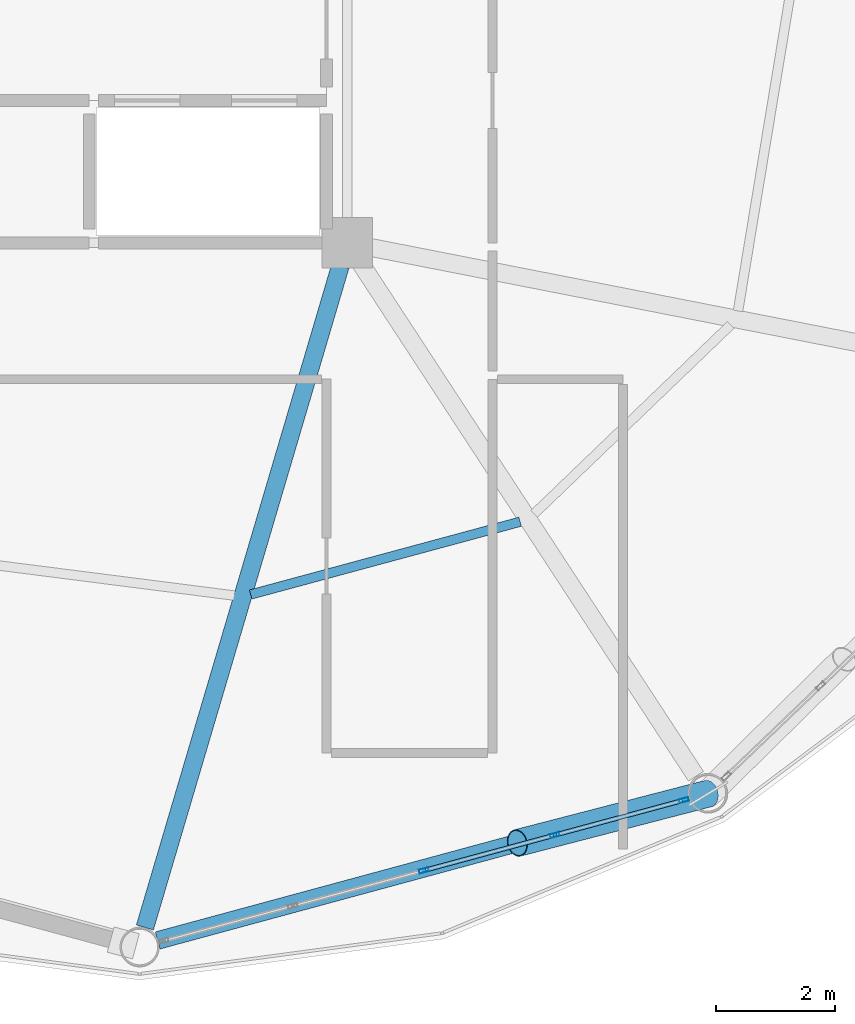
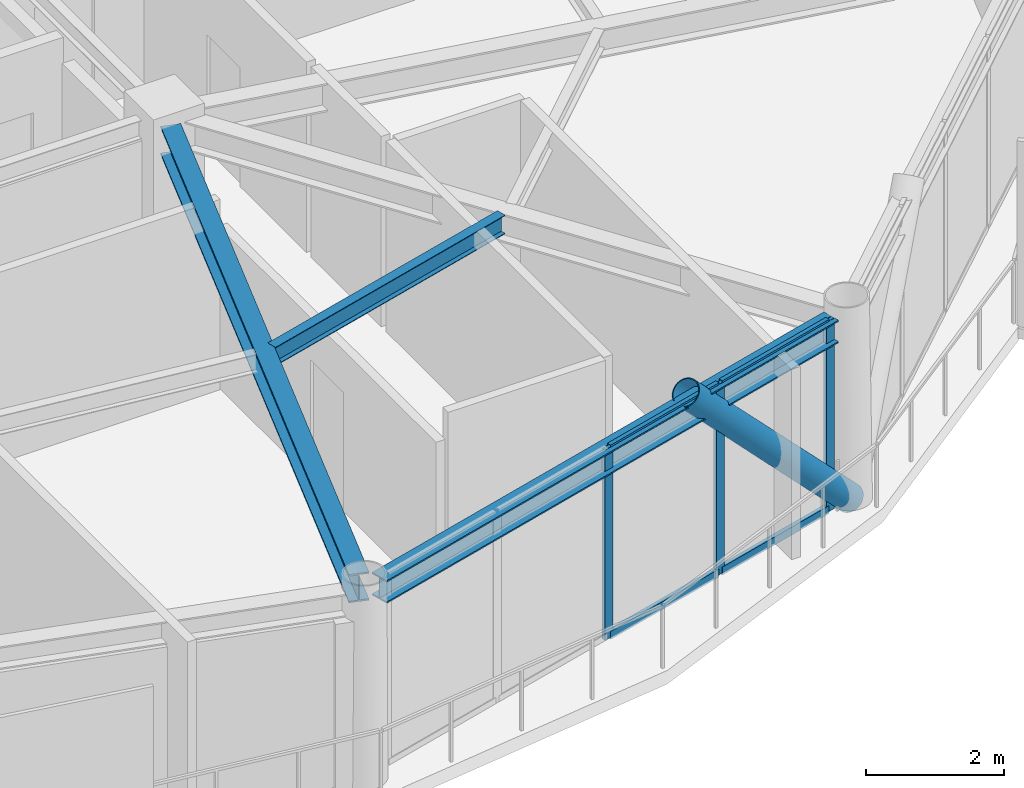
# One storey, part 8 of 28: 8 members, 3 beams, 1 element without a shape of its own.
"""IFC4 building model written with IfcOpenShell, lengths in metres."""

from ifc_helpers import new_model, si_unit, direction, frame, origin, origin_2d, place, context, subcontext, project, spatial, hollow_rectangle, hollow_circle, i_section, extrude, material, layer, layer_set, material_profile, profile_set, type_object, element, aggregate, save


model = new_model("IFC4")

# Units and contexts
model_context = context("Model", 3, precision=1e-05, world=origin(), true_north=direction((0.0, 1.0)))
body_context = subcontext(model_context, "Body", "Model", "MODEL_VIEW")
ifc_project = project(units=[si_unit("LENGTHUNIT", "METRE"), si_unit("AREAUNIT", "SQUARE_METRE"), si_unit("VOLUMEUNIT", "CUBIC_METRE"), si_unit("PLANEANGLEUNIT", "RADIAN"), si_unit("MASSUNIT", "GRAM", prefix="KILO")], contexts=[model_context])

# Site, building, storey
site_placement = place(None, origin())
site = spatial("IfcSite", under=ifc_project, at=site_placement, CompositionType="ELEMENT")
building_placement = place(site_placement, origin())
building = spatial("IfcBuilding", under=site, at=building_placement, Name="Varnakorn Sky Granary", CompositionType="ELEMENT")
storey_placement = place(building_placement, frame((0.0, 0.0, 204.0)))
storey = spatial("IfcBuildingStorey", under=building, at=storey_placement, Name="L51", CompositionType="ELEMENT", Elevation=204.0)

# Beams
ifc_material_1 = material(Name="Steel S355JR", Category="steel")
ifc_material_profile_1 = material_profile(ifc_material_1, i_section(OverallWidth=0.300048828125, OverallDepth=0.5, WebThickness=0.014404296875, FlangeThickness=0.028076171875, at=origin_2d()), Name="HE 500 B")
ifc_profile_set_1 = profile_set([ifc_material_profile_1], Name="Steel S355JR")
beam_type_1 = type_object("IfcBeamType", Name="BM-RAD-Z4", PredefinedType="BEAM", material=ifc_profile_set_1)
beam_1_placement = place(storey_placement, frame((8.235107421875, -6.98828125, 3.110107421875), z_axis=(-0.283365007034, -0.959012133807, 0.0), x_axis=(0.959012133807, -0.283365007034, 0.0)))
element("IfcBeam", 1, at=beam_1_placement, inside=storey, type_object=beam_type_1, Name="Radial Floor Girder RG10 L51", PredefinedType="BEAM", context=body_context, shape_type="SweptSolid", body=[
    extrude(i_section(OverallWidth=0.300048828125, OverallDepth=0.5, WebThickness=0.014404296875, FlangeThickness=0.028076171875, at=origin_2d()), origin(), (0.0, 0.0, 1.0), 11.63134765625),
])
ifc_material_profile_2 = material_profile(ifc_material_1, i_section(OverallWidth=0.159912109375, OverallDepth=0.330078125, WebThickness=0.007568359375, FlangeThickness=0.011474609375, at=origin_2d()), Name="IPE 330")
ifc_profile_set_2 = profile_set([ifc_material_profile_2], Name="Steel S355JR")
beam_type_2 = type_object("IfcBeamType", Name="BM-SEC-Z4", PredefinedType="BEAM", material=ifc_profile_set_2)
beam_2_placement = place(storey_placement, frame((6.722412109375, -12.529296875, 3.195068359375), z_axis=(0.965421640444, 0.260693414113, 0.0), x_axis=(-0.260693414113, 0.965421640444, 0.0)))
element("IfcBeam", 2, at=beam_2_placement, inside=storey, type_object=beam_type_2, Name="Secondary Floor Chord Beam MSB10 L51", PredefinedType="BEAM", context=body_context, shape_type="SweptSolid", body=[
    extrude(i_section(OverallWidth=0.159912109375, OverallDepth=0.330078125, WebThickness=0.007568359375, FlangeThickness=0.011474609375, at=origin_2d()), origin(), (0.0, 0.0, 1.0), 4.7060546875),
])
ifc_material_profile_3 = material_profile(ifc_material_1, i_section(OverallWidth=0.300048828125, OverallDepth=0.39990234375, WebThickness=0.013427734375, FlangeThickness=0.02392578125, at=origin_2d()), Name="HE 400 B")
ifc_profile_set_3 = profile_set([ifc_material_profile_3], Name="Steel S355JR")
beam_type_3 = type_object("IfcBeamType", Name="BM-SPD-Z4", PredefinedType="SPANDREL", material=ifc_profile_set_3)
beam_3_placement = place(storey_placement, frame((5.154052734375, -18.362548828125, 3.159912109375), z_axis=(0.965201438715, 0.261507519399, 0.0), x_axis=(-0.261507519399, 0.965201438715, 0.0)))
element("IfcBeam", 3, at=beam_3_placement, inside=storey, type_object=beam_type_3, Name="Perimeter Spandrel Ring Beam RB10 L51", PredefinedType="SPANDREL", context=body_context, shape_type="SweptSolid", body=[
    extrude(i_section(OverallWidth=0.300048828125, OverallDepth=0.39990234375, WebThickness=0.013427734375, FlangeThickness=0.02392578125, at=origin_2d()), origin(), (0.0, 0.0, 1.0), 9.266845703125),
])

# Curtain wall, members
ifc_material_2 = material(Name="Anodised Bronze Aluminium Alloy 6063-T6", Category="aluminium")
ifc_layer = layer(ifc_material_2, 0.169921875, Name="Anodised Bronze Aluminium Alloy 6063-T6")
ifc_layer_set = layer_set([ifc_layer], Name="Anodised Bronze Aluminium Alloy 6063-T6")
curtain_wall_type = type_object("IfcCurtainWallType", Name="CW-LAB-1", PredefinedType="USERDEFINED", material=ifc_layer_set)
curtain_wall_placement = place(storey_placement, origin())
curtain_wall = element("IfcCurtainWall", 4, at=curtain_wall_placement, inside=storey, type_object=curtain_wall_type, Name="Unitised Curtain Wall CW5 CW-L51-B10", ObjectType="CURTAIN WALL", PredefinedType="USERDEFINED")
ifc_material_profile_4 = material_profile(ifc_material_2, hollow_rectangle(XDim=0.06494140625, YDim=0.159912109375, WallThickness=0.00341796875, at=origin_2d()), Name="ALU MULL 65x160")
ifc_profile_set_4 = profile_set([ifc_material_profile_4], Name="Anodised Bronze Aluminium Alloy 6063-T6")
member_type_1 = type_object("IfcMemberType", Name="CW-LAB-1-MULL", PredefinedType="MULLION", material=ifc_profile_set_4)
member_1_placement = place(storey_placement, frame((14.028564453125, -15.99658203125, 0.0), z_axis=(0.0, 0.0, 1.0), x_axis=(0.261068663342, -0.965320233405, 0.0)))
member_1 = element("IfcMember", 5, at=member_1_placement, type_object=member_type_1, Name="CW5 mullion 1", PredefinedType="MULLION", context=body_context, shape_type="SweptSolid", body=[
    extrude(hollow_rectangle(XDim=0.06494140625, YDim=0.159912109375, WallThickness=0.00341796875, at=origin_2d()), origin(), (0.0, 0.0, 1.0), 3.360107421875),
])
member_2_placement = place(storey_placement, frame((11.8515625, -16.58544921875, 0.0), z_axis=(0.0, 0.0, 1.0), x_axis=(0.261068663342, -0.965320233405, 0.0)))
member_2 = element("IfcMember", 6, at=member_2_placement, type_object=member_type_1, Name="CW5 mullion 2", PredefinedType="MULLION", context=body_context, shape_type="SweptSolid", body=[
    extrude(hollow_rectangle(XDim=0.06494140625, YDim=0.159912109375, WallThickness=0.00341796875, at=origin_2d()), origin(), (0.0, 0.0, 1.0), 3.360107421875),
])
member_3_placement = place(storey_placement, frame((9.643310546875, -17.1826171875, 0.0), z_axis=(0.0, 0.0, 1.0), x_axis=(0.261068663342, -0.965320233405, 0.0)))
member_3 = element("IfcMember", 7, at=member_3_placement, type_object=member_type_1, Name="CW5 mullion 3", PredefinedType="MULLION", context=body_context, shape_type="SweptSolid", body=[
    extrude(hollow_rectangle(XDim=0.06494140625, YDim=0.159912109375, WallThickness=0.00341796875, at=origin_2d()), origin(), (0.0, 0.0, 1.0), 3.360107421875),
])
ifc_material_profile_5 = material_profile(ifc_material_2, hollow_rectangle(XDim=0.070068359375, YDim=0.139892578125, WallThickness=0.00341796875, at=origin_2d()), Name="ALU TRAN 70x140")
ifc_profile_set_5 = profile_set([ifc_material_profile_5], Name="Anodised Bronze Aluminium Alloy 6063-T6")
member_type_2 = type_object("IfcMemberType", Name="CW-LAB-1-TRAN", PredefinedType="USERDEFINED", material=ifc_profile_set_5)
member_4_placement = place(storey_placement, frame((13.997314453125, -16.005126953125, 0.034912109375), z_axis=(-0.965322405416, -0.261060632042, 0.0), x_axis=(0.261060632042, -0.965322405416, 0.0)))
member_4 = element("IfcMember", 8, at=member_4_placement, type_object=member_type_2, Name="CW5 transom 1.1", ObjectType="TRANSOM", PredefinedType="USERDEFINED", context=body_context, shape_type="SweptSolid", body=[
    extrude(hollow_rectangle(XDim=0.070068359375, YDim=0.139892578125, WallThickness=0.00341796875, at=origin_2d()), origin(), (0.0, 0.0, 1.0), 2.190185546875),
])
member_5_placement = place(storey_placement, frame((13.997314453125, -16.005126953125, 3.324951171875), z_axis=(-0.965322405416, -0.261060632042, 0.0), x_axis=(0.261060632042, -0.965322405416, 0.0)))
member_5 = element("IfcMember", 9, at=member_5_placement, type_object=member_type_2, Name="CW5 transom 1.2", ObjectType="TRANSOM", PredefinedType="USERDEFINED", context=body_context, shape_type="SweptSolid", body=[
    extrude(hollow_rectangle(XDim=0.070068359375, YDim=0.139892578125, WallThickness=0.00341796875, at=origin_2d()), origin(), (0.0, 0.0, 1.0), 2.190185546875),
])
member_6_placement = place(storey_placement, frame((11.8203125, -16.593994140625, 0.034912109375), z_axis=(-0.965319266725, -0.261072237684, 0.0), x_axis=(0.261072237684, -0.965319266725, 0.0)))
member_6 = element("IfcMember", 10, at=member_6_placement, type_object=member_type_2, Name="CW5 transom 2.1", ObjectType="TRANSOM", PredefinedType="USERDEFINED", context=body_context, shape_type="SweptSolid", body=[
    extrude(hollow_rectangle(XDim=0.070068359375, YDim=0.139892578125, WallThickness=0.00341796875, at=origin_2d()), origin(), (0.0, 0.0, 1.0), 2.222900390625),
])
member_7_placement = place(storey_placement, frame((11.8203125, -16.593994140625, 3.324951171875), z_axis=(-0.965319266725, -0.261072237684, 0.0), x_axis=(0.261072237684, -0.965319266725, 0.0)))
member_7 = element("IfcMember", 11, at=member_7_placement, type_object=member_type_2, Name="CW5 transom 2.2", ObjectType="TRANSOM", PredefinedType="USERDEFINED", context=body_context, shape_type="SweptSolid", body=[
    extrude(hollow_rectangle(XDim=0.070068359375, YDim=0.139892578125, WallThickness=0.00341796875, at=origin_2d()), origin(), (0.0, 0.0, 1.0), 2.222900390625),
])
aggregate(curtain_wall, [member_1, member_2, member_3, member_4, member_5, member_6, member_7])

# Member
ifc_material_3 = material(Name="Steel S460M", Category="steel")
ifc_material_profile_6 = material_profile(ifc_material_3, hollow_circle(Radius=0.228515625, WallThickness=0.01611328125, at=origin_2d()), Name="CHS 457x16")
ifc_profile_set_6 = profile_set([ifc_material_profile_6], Name="Steel S460M")
member_type_3 = type_object("IfcMemberType", Name="MB-DIAG-T3", PredefinedType="BRACE", material=ifc_profile_set_6)
member_8_placement = place(storey_placement, frame((14.4365234375, -15.886474609375, 0.0), z_axis=(-0.667707226274, -0.172827875592, 0.724083962949), x_axis=(0.250579831975, -0.968095939361, 0.0)))
element("IfcMember", 12, at=member_8_placement, inside=storey, type_object=member_type_3, Name="Perimeter CHS Diagrid Brace DG10 L51", PredefinedType="BRACE", context=body_context, shape_type="SweptSolid", body=[
    extrude(hollow_circle(Radius=0.228515625, WallThickness=0.01611328125, at=origin_2d()), origin(), (0.0, 0.0, 1.0), 4.81982421875),
])

save(model, "model.ifc")
